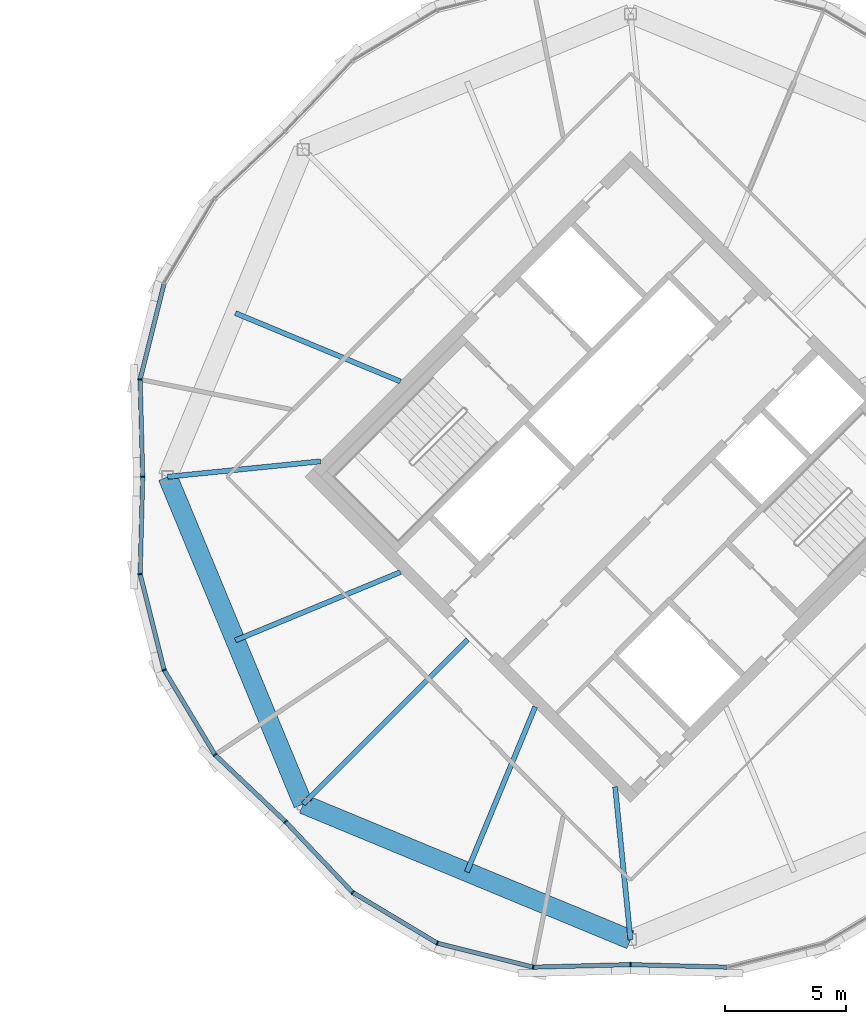
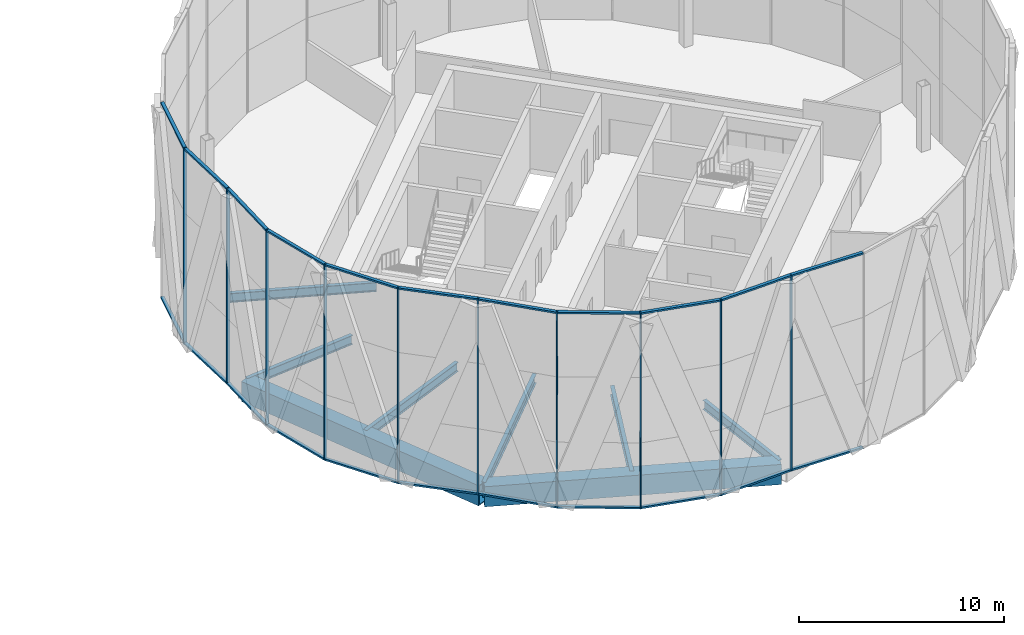
# One storey, part 8 of 22: 32 members, 8 beams, 4 elements without a shape of their own.
"""IFC4 building model written with IfcOpenShell, lengths in metres."""

from ifc_helpers import new_model, si_unit, direction, frame, origin, origin_2d, place, context, subcontext, project, spatial, rectangle, hollow_rectangle, i_section, extrude, material, material_profile, profile_set, type_object, element, aggregate, save


model = new_model("IFC4")

# Units and contexts
model_context = context("Model", 3, precision=1e-05, world=origin(), true_north=direction((0.0, 1.0)))
body_context = subcontext(model_context, "Body", "Model", "MODEL_VIEW")
ifc_project = project(units=[si_unit("LENGTHUNIT", "METRE"), si_unit("AREAUNIT", "SQUARE_METRE"), si_unit("VOLUMEUNIT", "CUBIC_METRE"), si_unit("PLANEANGLEUNIT", "RADIAN"), si_unit("MASSUNIT", "GRAM", prefix="KILO")], contexts=[model_context])

# Site, building, storey
site_placement = place(None, origin())
site = spatial("IfcSite", under=ifc_project, at=site_placement, CompositionType="ELEMENT")
building_placement = place(site_placement, origin())
building = spatial("IfcBuilding", under=site, at=building_placement, Name="Ogive Gate Towers", CompositionType="ELEMENT")
storey_placement = place(building_placement, frame((0.0, 0.0, 228.89990234375)))
storey = spatial("IfcBuildingStorey", under=building, at=storey_placement, Name="L54", CompositionType="ELEMENT", Elevation=228.89990234375)

# Beams
ifc_material_1 = material(Name="Steel SM460", Category="steel")
ifc_material_profile_1 = material_profile(ifc_material_1, hollow_rectangle(XDim=0.800048828125, YDim=1.199951171875, WallThickness=0.050048828125, at=origin_2d()), Name="BX 1200x800x50")
ifc_profile_set_1 = profile_set([ifc_material_profile_1], Name="Steel SM460")
beam_type_1 = type_object("IfcBeamType", Name="Edge girder BX 1200x800x50", PredefinedType="BEAM", material=ifc_profile_set_1)
for number, where, z_axis, x_axis, name in (
    (1, (22.4873046875, -13.5126953125, -0.89990234375), (0.923872994947, -0.38269921506, 0.0), (0.38269921506, 0.923872994947, 0.0), "T2/L54/SBM017"),
    (2, (16.889892578125, 0.0, -0.89990234375), (0.38269921506, -0.923872994947, 0.0), (0.923872994947, 0.38269921506, 0.0), "T2/L54/SBM024"),
):
    element("IfcBeam", number, at=place(storey_placement, frame(where, z_axis=z_axis, x_axis=x_axis)), inside=storey, type_object=beam_type_1, Name=name, PredefinedType="BEAM", context=body_context, shape_type="SweptSolid", body=[
        extrude(hollow_rectangle(XDim=0.800048828125, YDim=1.199951171875, WallThickness=0.050048828125, at=origin_2d()), origin(), (0.0, 0.0, 1.0), 14.626220703125),
    ])
ifc_material_2 = material(Name="Steel SM355", Category="steel")
ifc_material_profile_2 = material_profile(ifc_material_2, i_section(OverallWidth=0.2099609375, OverallDepth=0.550048828125, WebThickness=0.010986328125, FlangeThickness=0.01708984375, FilletRadius=0.02392578125, at=origin_2d()), Name="IPE 550")
ifc_profile_set_2 = profile_set([ifc_material_profile_2], Name="Steel SM355")
beam_type_2 = type_object("IfcBeamType", Name="Radial floor beam IPE 550", PredefinedType="BEAM", material=ifc_profile_set_2)
beam_1_placement = place(storey_placement, frame((29.282470703125, -6.717529296875, -0.574951171875), z_axis=(-0.707106781187, -0.707106781187, 0.0), x_axis=(0.707106781187, -0.707106781187, 0.0)))
element("IfcBeam", 3, at=beam_1_placement, inside=storey, type_object=beam_type_2, Name="T2/L54/SBM001", PredefinedType="BEAM", context=body_context, shape_type="SweptSolid", body=[
    extrude(i_section(OverallWidth=0.2099609375, OverallDepth=0.550048828125, WebThickness=0.010986328125, FlangeThickness=0.01708984375, FilletRadius=0.02392578125, at=origin_2d()), origin(), (0.0, 0.0, 1.0), 9.60986328125),
])
beam_2_placement = place(storey_placement, frame((32.06494140625, -9.5, -0.574951171875), z_axis=(-0.382667649558, -0.923886069806, 0.0), x_axis=(0.923886069806, -0.382667649558, 0.0)))
element("IfcBeam", 4, at=beam_2_placement, inside=storey, type_object=beam_type_2, Name="T2/L54/SBM002", PredefinedType="BEAM", context=body_context, shape_type="SweptSolid", body=[
    extrude(i_section(OverallWidth=0.2099609375, OverallDepth=0.550048828125, WebThickness=0.010986328125, FlangeThickness=0.01708984375, FilletRadius=0.02392578125, at=origin_2d()), origin(), (0.0, 0.0, 1.0), 7.372802734375),
])
beam_3_placement = place(storey_placement, frame((35.363525390625, -12.798583984375, -0.574951171875), z_axis=(0.100334383706, -0.994953773522, 0.0), x_axis=(0.994953773522, 0.100334383706, 0.0)))
element("IfcBeam", 5, at=beam_3_placement, inside=storey, type_object=beam_type_2, Name="T2/L54/SBM003", PredefinedType="BEAM", context=body_context, shape_type="SweptSolid", body=[
    extrude(i_section(OverallWidth=0.2099609375, OverallDepth=0.550048828125, WebThickness=0.010986328125, FlangeThickness=0.01708984375, FilletRadius=0.02392578125, at=origin_2d()), origin(), (0.0, 0.0, 1.0), 6.343505859375),
])
beam_4_placement = place(storey_placement, frame((26.5, 3.93505859375, -0.574951171875), z_axis=(-0.923886069806, 0.382667649558, 0.0), x_axis=(-0.382667649558, -0.923886069806, 0.0)))
element("IfcBeam", 6, at=beam_4_placement, inside=storey, type_object=beam_type_2, Name="T2/L54/SBM014", PredefinedType="BEAM", context=body_context, shape_type="SweptSolid", body=[
    extrude(i_section(OverallWidth=0.2099609375, OverallDepth=0.550048828125, WebThickness=0.010986328125, FlangeThickness=0.01708984375, FilletRadius=0.02392578125, at=origin_2d()), origin(), (0.0, 0.0, 1.0), 7.372802734375),
])
beam_5_placement = place(storey_placement, frame((23.201416015625, 0.636474609375, -0.574951171875), z_axis=(-0.994953773522, -0.100334383706, 0.0), x_axis=(0.100334383706, -0.994953773522, 0.0)))
element("IfcBeam", 7, at=beam_5_placement, inside=storey, type_object=beam_type_2, Name="T2/L54/SBM015", PredefinedType="BEAM", context=body_context, shape_type="SweptSolid", body=[
    extrude(i_section(OverallWidth=0.2099609375, OverallDepth=0.550048828125, WebThickness=0.010986328125, FlangeThickness=0.01708984375, FilletRadius=0.02392578125, at=origin_2d()), origin(), (0.0, 0.0, 1.0), 6.343505859375),
])
beam_6_placement = place(storey_placement, frame((26.5, -3.93505859375, -0.574951171875), z_axis=(-0.923886069806, -0.382667649558, 0.0), x_axis=(0.382667649558, -0.923886069806, 0.0)))
element("IfcBeam", 8, at=beam_6_placement, inside=storey, type_object=beam_type_2, Name="T2/L54/SBM016", PredefinedType="BEAM", context=body_context, shape_type="SweptSolid", body=[
    extrude(i_section(OverallWidth=0.2099609375, OverallDepth=0.550048828125, WebThickness=0.010986328125, FlangeThickness=0.01708984375, FilletRadius=0.02392578125, at=origin_2d()), origin(), (0.0, 0.0, 1.0), 7.372802734375),
])

# Curtain wall, members
ifc_material_3 = material(Name="Pale metal aluminium", Category="aluminium")
curtain_wall_type = type_object("IfcCurtainWallType", Name="Tower unitised wall, high zone", PredefinedType="NOTDEFINED", material=ifc_material_3)
curtain_wall_1_placement = place(storey_placement, origin())
curtain_wall_1 = element("IfcCurtainWall", 9, at=curtain_wall_1_placement, inside=storey, type_object=curtain_wall_type, Name="CW2 T2 ECW04", PredefinedType="NOTDEFINED")
ifc_material_profile_3 = material_profile(ifc_material_3, rectangle(XDim=0.179931640625, YDim=0.06005859375, at=origin_2d()), Name="60 x 180 aluminium box")
ifc_profile_set_3 = profile_set([ifc_material_profile_3], Name="Pale metal aluminium")
member_type_1 = type_object("IfcMemberType", Name="Tower unitised wall, high zone mullion 60 x 180", PredefinedType="MULLION", material=ifc_profile_set_3)
member_1_placement = place(storey_placement, frame((15.75439453125, 4.01904296875, -0.2998046875), z_axis=(0.0, 0.0, 1.0), x_axis=(-0.994001108417, 0.109369998011, 0.0)))
member_1 = element("IfcMember", 10, at=member_1_placement, type_object=member_type_1, Name="CW2 mullion", PredefinedType="MULLION", context=body_context, shape_type="SweptSolid", body=[
    extrude(rectangle(XDim=0.179931640625, YDim=0.06005859375, at=origin_2d()), origin(), (0.0, 0.0, 1.0), 11.699951171875),
])
member_2_placement = place(storey_placement, frame((15.860107421875, 0.000244140625, -0.2998046875), z_axis=(0.0, 0.0, 1.0), x_axis=(-0.999655952983, -0.026229290207, 0.0)))
member_2 = element("IfcMember", 11, at=member_2_placement, type_object=member_type_1, Name="CW2 mullion", PredefinedType="MULLION", context=body_context, shape_type="SweptSolid", body=[
    extrude(rectangle(XDim=0.179931640625, YDim=0.06005859375, at=origin_2d()), origin(), (0.0, 0.0, 1.0), 11.699951171875),
])

curtain_wall_2_placement = place(storey_placement, origin())
curtain_wall_2 = element("IfcCurtainWall", 12, at=curtain_wall_2_placement, inside=storey, type_object=curtain_wall_type, Name="CW2 T2 ECW05", PredefinedType="NOTDEFINED")
member_3_placement = place(storey_placement, frame((15.75439453125, -4.01904296875, -0.2998046875), z_axis=(0.0, 0.0, 1.0), x_axis=(-0.994001108417, -0.109369998011, 0.0)))
member_3 = element("IfcMember", 13, at=member_3_placement, type_object=member_type_1, Name="CW2 mullion", PredefinedType="MULLION", context=body_context, shape_type="SweptSolid", body=[
    extrude(rectangle(XDim=0.179931640625, YDim=0.06005859375, at=origin_2d()), origin(), (0.0, 0.0, 1.0), 11.699951171875),
])
member_4_placement = place(storey_placement, frame((16.745361328125, -7.9755859375, -0.2998046875), z_axis=(0.0, 0.0, 1.0), x_axis=(-0.923872853285, -0.382699557047, 0.0)))
member_4 = element("IfcMember", 14, at=member_4_placement, type_object=member_type_1, Name="CW2 mullion", PredefinedType="MULLION", context=body_context, shape_type="SweptSolid", body=[
    extrude(rectangle(XDim=0.179931640625, YDim=0.06005859375, at=origin_2d()), origin(), (0.0, 0.0, 1.0), 11.699951171875),
])
member_5_placement = place(storey_placement, frame((18.84228515625, -11.473876953125, -0.2998046875), z_axis=(0.0, 0.0, 1.0), x_axis=(-0.780201191521, -0.625528657017, 0.0)))
member_5 = element("IfcMember", 15, at=member_5_placement, type_object=member_type_1, Name="CW2 mullion", PredefinedType="MULLION", context=body_context, shape_type="SweptSolid", body=[
    extrude(rectangle(XDim=0.179931640625, YDim=0.06005859375, at=origin_2d()), origin(), (0.0, 0.0, 1.0), 11.699951171875),
])
member_6_placement = place(storey_placement, frame((21.7587890625, -14.240966796875, -0.2998046875), z_axis=(0.0, 0.0, 1.0), x_axis=(-0.688329254932, -0.725398398678, 0.0)))
member_6 = element("IfcMember", 16, at=member_6_placement, type_object=member_type_1, Name="CW2 mullion", PredefinedType="MULLION", context=body_context, shape_type="SweptSolid", body=[
    extrude(rectangle(XDim=0.179931640625, YDim=0.06005859375, at=origin_2d()), origin(), (0.0, 0.0, 1.0), 11.699951171875),
])

curtain_wall_3_placement = place(storey_placement, origin())
curtain_wall_3 = element("IfcCurtainWall", 17, at=curtain_wall_3_placement, inside=storey, type_object=curtain_wall_type, Name="CW2 T2 ECW06", PredefinedType="NOTDEFINED")
member_7_placement = place(storey_placement, frame((24.526123046875, -17.15771484375, -0.2998046875), z_axis=(0.0, 0.0, 1.0), x_axis=(-0.625528657017, -0.780201191521, 0.0)))
member_7 = element("IfcMember", 18, at=member_7_placement, type_object=member_type_1, Name="CW2 mullion", PredefinedType="MULLION", context=body_context, shape_type="SweptSolid", body=[
    extrude(rectangle(XDim=0.179931640625, YDim=0.06005859375, at=origin_2d()), origin(), (0.0, 0.0, 1.0), 11.699951171875),
])
member_8_placement = place(storey_placement, frame((28.0244140625, -19.254638671875, -0.2998046875), z_axis=(0.0, 0.0, 1.0), x_axis=(-0.382699557047, -0.923872853285, 0.0)))
member_8 = element("IfcMember", 19, at=member_8_placement, type_object=member_type_1, Name="CW2 mullion", PredefinedType="MULLION", context=body_context, shape_type="SweptSolid", body=[
    extrude(rectangle(XDim=0.179931640625, YDim=0.06005859375, at=origin_2d()), origin(), (0.0, 0.0, 1.0), 11.699951171875),
])
member_9_placement = place(storey_placement, frame((31.98095703125, -20.24560546875, -0.2998046875), z_axis=(0.0, 0.0, 1.0), x_axis=(-0.109369998011, -0.994001108417, 0.0)))
member_9 = element("IfcMember", 20, at=member_9_placement, type_object=member_type_1, Name="CW2 mullion", PredefinedType="MULLION", context=body_context, shape_type="SweptSolid", body=[
    extrude(rectangle(XDim=0.179931640625, YDim=0.06005859375, at=origin_2d()), origin(), (0.0, 0.0, 1.0), 11.699951171875),
])
member_10_placement = place(storey_placement, frame((35.999755859375, -20.139892578125, -0.2998046875), z_axis=(0.0, 0.0, 1.0), x_axis=(0.026229290207, -0.999655952983, 0.0)))
member_10 = element("IfcMember", 21, at=member_10_placement, type_object=member_type_1, Name="CW2 mullion", PredefinedType="MULLION", context=body_context, shape_type="SweptSolid", body=[
    extrude(rectangle(XDim=0.179931640625, YDim=0.06005859375, at=origin_2d()), origin(), (0.0, 0.0, 1.0), 11.699951171875),
])

# Member
ifc_material_profile_4 = material_profile(ifc_material_3, rectangle(XDim=0.179931640625, YDim=0.10009765625, at=origin_2d()), Name="100 x 180 aluminium box")
ifc_profile_set_4 = profile_set([ifc_material_profile_4], Name="Pale metal aluminium")
member_type_2 = type_object("IfcMemberType", Name="Tower unitised wall, high zone transom 100 x 180", PredefinedType="USERDEFINED", material=ifc_profile_set_4)
member_11_placement = place(storey_placement, frame((16.738525390625, 7.947998046875, 11.35009765625), z_axis=(-0.242949839653, -0.970038852527, 0.0), x_axis=(0.970038852527, -0.242949839653, 0.0)))
member_11 = element("IfcMember", 22, at=member_11_placement, type_object=member_type_2, Name="CW2 transom", ObjectType="TRANSOM", PredefinedType="USERDEFINED", context=body_context, shape_type="SweptSolid", body=[
    extrude(rectangle(XDim=0.179931640625, YDim=0.10009765625, at=origin_2d()), origin(), (0.0, 0.0, 1.0), 4.021728515625),
])

member_12_placement = place(storey_placement, frame((16.738525390625, 7.947998046875, -0.25), z_axis=(-0.242949839653, -0.970038852527, 0.0), x_axis=(0.970038852527, -0.242949839653, 0.0)))
member_12 = element("IfcMember", 23, at=member_12_placement, type_object=member_type_2, Name="CW2 transom", ObjectType="TRANSOM", PredefinedType="USERDEFINED", context=body_context, shape_type="SweptSolid", body=[
    extrude(rectangle(XDim=0.179931640625, YDim=0.10009765625, at=origin_2d()), origin(), (0.0, 0.0, 1.0), 4.021728515625),
])

member_13_placement = place(storey_placement, frame((15.75537109375, 3.990478515625, 11.35009765625), z_axis=(0.026191615796, -0.999656940786, 0.0), x_axis=(0.999656940786, 0.026191615796, 0.0)))
member_13 = element("IfcMember", 24, at=member_13_placement, type_object=member_type_2, Name="CW2 transom", ObjectType="TRANSOM", PredefinedType="USERDEFINED", context=body_context, shape_type="SweptSolid", body=[
    extrude(rectangle(XDim=0.179931640625, YDim=0.10009765625, at=origin_2d()), origin(), (0.0, 0.0, 1.0), 3.961669921875),
])

member_14_placement = place(storey_placement, frame((15.75537109375, 3.990478515625, -0.25), z_axis=(0.026191615796, -0.999656940786, 0.0), x_axis=(0.999656940786, 0.026191615796, 0.0)))
member_14 = element("IfcMember", 25, at=member_14_placement, type_object=member_type_2, Name="CW2 transom", ObjectType="TRANSOM", PredefinedType="USERDEFINED", context=body_context, shape_type="SweptSolid", body=[
    extrude(rectangle(XDim=0.179931640625, YDim=0.10009765625, at=origin_2d()), origin(), (0.0, 0.0, 1.0), 3.961669921875),
])

aggregate(curtain_wall_1, [member_1, member_11, member_12, member_2, member_13, member_14])

member_15_placement = place(storey_placement, frame((15.859130859375, -0.0302734375, 11.35009765625), z_axis=(-0.026191615796, -0.999656940786, 0.0), x_axis=(0.999656940786, -0.026191615796, 0.0)))
member_15 = element("IfcMember", 26, at=member_15_placement, type_object=member_type_2, Name="CW2 transom", ObjectType="TRANSOM", PredefinedType="USERDEFINED", context=body_context, shape_type="SweptSolid", body=[
    extrude(rectangle(XDim=0.179931640625, YDim=0.10009765625, at=origin_2d()), origin(), (0.0, 0.0, 1.0), 3.961669921875),
])

member_16_placement = place(storey_placement, frame((15.859130859375, -0.0302734375, -0.25), z_axis=(-0.026191615796, -0.999656940786, 0.0), x_axis=(0.999656940786, -0.026191615796, 0.0)))
member_16 = element("IfcMember", 27, at=member_16_placement, type_object=member_type_2, Name="CW2 transom", ObjectType="TRANSOM", PredefinedType="USERDEFINED", context=body_context, shape_type="SweptSolid", body=[
    extrude(rectangle(XDim=0.179931640625, YDim=0.10009765625, at=origin_2d()), origin(), (0.0, 0.0, 1.0), 3.961669921875),
])

member_17_placement = place(storey_placement, frame((15.761474609375, -4.046875, 11.35009765625), z_axis=(0.242949839653, -0.970038852527, 0.0), x_axis=(0.970038852527, 0.242949839653, 0.0)))
member_17 = element("IfcMember", 28, at=member_17_placement, type_object=member_type_2, Name="CW2 transom", ObjectType="TRANSOM", PredefinedType="USERDEFINED", context=body_context, shape_type="SweptSolid", body=[
    extrude(rectangle(XDim=0.179931640625, YDim=0.10009765625, at=origin_2d()), origin(), (0.0, 0.0, 1.0), 4.021728515625),
])

member_18_placement = place(storey_placement, frame((15.761474609375, -4.046875, -0.25), z_axis=(0.242949839653, -0.970038852527, 0.0), x_axis=(0.970038852527, 0.242949839653, 0.0)))
member_18 = element("IfcMember", 29, at=member_18_placement, type_object=member_type_2, Name="CW2 transom", ObjectType="TRANSOM", PredefinedType="USERDEFINED", context=body_context, shape_type="SweptSolid", body=[
    extrude(rectangle(XDim=0.179931640625, YDim=0.10009765625, at=origin_2d()), origin(), (0.0, 0.0, 1.0), 4.021728515625),
])

member_19_placement = place(storey_placement, frame((16.760009765625, -8.0, 11.35009765625), z_axis=(0.514192185894, -0.857674994369, 0.0), x_axis=(0.857674994369, 0.514192185894, 0.0)))
member_19 = element("IfcMember", 30, at=member_19_placement, type_object=member_type_2, Name="CW2 transom", ObjectType="TRANSOM", PredefinedType="USERDEFINED", context=body_context, shape_type="SweptSolid", body=[
    extrude(rectangle(XDim=0.179931640625, YDim=0.10009765625, at=origin_2d()), origin(), (0.0, 0.0, 1.0), 4.021484375),
])

member_20_placement = place(storey_placement, frame((16.760009765625, -8.0, -0.25), z_axis=(0.514192185894, -0.857674994369, 0.0), x_axis=(0.857674994369, 0.514192185894, 0.0)))
member_20 = element("IfcMember", 31, at=member_20_placement, type_object=member_type_2, Name="CW2 transom", ObjectType="TRANSOM", PredefinedType="USERDEFINED", context=body_context, shape_type="SweptSolid", body=[
    extrude(rectangle(XDim=0.179931640625, YDim=0.10009765625, at=origin_2d()), origin(), (0.0, 0.0, 1.0), 4.021484375),
])

member_21_placement = place(storey_placement, frame((18.86328125, -11.493408203125, 11.35009765625), z_axis=(0.725384001272, -0.688344427375, 0.0), x_axis=(0.688344427375, 0.725384001272, 0.0)))
member_21 = element("IfcMember", 32, at=member_21_placement, type_object=member_type_2, Name="CW2 transom", ObjectType="TRANSOM", PredefinedType="USERDEFINED", context=body_context, shape_type="SweptSolid", body=[
    extrude(rectangle(XDim=0.179931640625, YDim=0.10009765625, at=origin_2d()), origin(), (0.0, 0.0, 1.0), 3.96142578125),
])

member_22_placement = place(storey_placement, frame((18.86328125, -11.493408203125, -0.25), z_axis=(0.725384001272, -0.688344427375, 0.0), x_axis=(0.688344427375, 0.725384001272, 0.0)))
member_22 = element("IfcMember", 33, at=member_22_placement, type_object=member_type_2, Name="CW2 transom", ObjectType="TRANSOM", PredefinedType="USERDEFINED", context=body_context, shape_type="SweptSolid", body=[
    extrude(rectangle(XDim=0.179931640625, YDim=0.10009765625, at=origin_2d()), origin(), (0.0, 0.0, 1.0), 3.96142578125),
])

aggregate(curtain_wall_2, [member_3, member_15, member_16, member_4, member_17, member_18, member_5, member_19, member_20, member_6, member_21, member_22])

member_23_placement = place(storey_placement, frame((21.77978515625, -14.26318359375, 11.35009765625), z_axis=(0.688344427375, -0.725384001272, 0.0), x_axis=(0.725384001272, 0.688344427375, 0.0)))
member_23 = element("IfcMember", 34, at=member_23_placement, type_object=member_type_2, Name="CW2 transom", ObjectType="TRANSOM", PredefinedType="USERDEFINED", context=body_context, shape_type="SweptSolid", body=[
    extrude(rectangle(XDim=0.179931640625, YDim=0.10009765625, at=origin_2d()), origin(), (0.0, 0.0, 1.0), 3.96142578125),
])

member_24_placement = place(storey_placement, frame((21.77978515625, -14.26318359375, -0.25), z_axis=(0.688344427375, -0.725384001272, 0.0), x_axis=(0.725384001272, 0.688344427375, 0.0)))
member_24 = element("IfcMember", 35, at=member_24_placement, type_object=member_type_2, Name="CW2 transom", ObjectType="TRANSOM", PredefinedType="USERDEFINED", context=body_context, shape_type="SweptSolid", body=[
    extrude(rectangle(XDim=0.179931640625, YDim=0.10009765625, at=origin_2d()), origin(), (0.0, 0.0, 1.0), 3.96142578125),
])

member_25_placement = place(storey_placement, frame((24.55078125, -17.172119140625, 11.35009765625), z_axis=(0.857674994369, -0.514192185894, 0.0), x_axis=(0.514192185894, 0.857674994369, 0.0)))
member_25 = element("IfcMember", 36, at=member_25_placement, type_object=member_type_2, Name="CW2 transom", ObjectType="TRANSOM", PredefinedType="USERDEFINED", context=body_context, shape_type="SweptSolid", body=[
    extrude(rectangle(XDim=0.179931640625, YDim=0.10009765625, at=origin_2d()), origin(), (0.0, 0.0, 1.0), 4.021484375),
])

member_26_placement = place(storey_placement, frame((24.55078125, -17.172119140625, -0.25), z_axis=(0.857674994369, -0.514192185894, 0.0), x_axis=(0.514192185894, 0.857674994369, 0.0)))
member_26 = element("IfcMember", 37, at=member_26_placement, type_object=member_type_2, Name="CW2 transom", ObjectType="TRANSOM", PredefinedType="USERDEFINED", context=body_context, shape_type="SweptSolid", body=[
    extrude(rectangle(XDim=0.179931640625, YDim=0.10009765625, at=origin_2d()), origin(), (0.0, 0.0, 1.0), 4.021484375),
])

member_27_placement = place(storey_placement, frame((28.052001953125, -19.261474609375, 11.35009765625), z_axis=(0.970038852527, -0.242949839653, 0.0), x_axis=(0.242949839653, 0.970038852527, 0.0)))
member_27 = element("IfcMember", 38, at=member_27_placement, type_object=member_type_2, Name="CW2 transom", ObjectType="TRANSOM", PredefinedType="USERDEFINED", context=body_context, shape_type="SweptSolid", body=[
    extrude(rectangle(XDim=0.179931640625, YDim=0.10009765625, at=origin_2d()), origin(), (0.0, 0.0, 1.0), 4.021728515625),
])

member_28_placement = place(storey_placement, frame((28.052001953125, -19.261474609375, -0.25), z_axis=(0.970038852527, -0.242949839653, 0.0), x_axis=(0.242949839653, 0.970038852527, 0.0)))
member_28 = element("IfcMember", 39, at=member_28_placement, type_object=member_type_2, Name="CW2 transom", ObjectType="TRANSOM", PredefinedType="USERDEFINED", context=body_context, shape_type="SweptSolid", body=[
    extrude(rectangle(XDim=0.179931640625, YDim=0.10009765625, at=origin_2d()), origin(), (0.0, 0.0, 1.0), 4.021728515625),
])

member_29_placement = place(storey_placement, frame((32.009521484375, -20.24462890625, 11.35009765625), z_axis=(0.999656940786, 0.026191615796, 0.0), x_axis=(-0.026191615796, 0.999656940786, 0.0)))
member_29 = element("IfcMember", 40, at=member_29_placement, type_object=member_type_2, Name="CW2 transom", ObjectType="TRANSOM", PredefinedType="USERDEFINED", context=body_context, shape_type="SweptSolid", body=[
    extrude(rectangle(XDim=0.179931640625, YDim=0.10009765625, at=origin_2d()), origin(), (0.0, 0.0, 1.0), 3.961669921875),
])

member_30_placement = place(storey_placement, frame((32.009521484375, -20.24462890625, -0.25), z_axis=(0.999656940786, 0.026191615796, 0.0), x_axis=(-0.026191615796, 0.999656940786, 0.0)))
member_30 = element("IfcMember", 41, at=member_30_placement, type_object=member_type_2, Name="CW2 transom", ObjectType="TRANSOM", PredefinedType="USERDEFINED", context=body_context, shape_type="SweptSolid", body=[
    extrude(rectangle(XDim=0.179931640625, YDim=0.10009765625, at=origin_2d()), origin(), (0.0, 0.0, 1.0), 3.961669921875),
])

aggregate(curtain_wall_3, [member_7, member_23, member_24, member_8, member_25, member_26, member_9, member_27, member_28, member_10, member_29, member_30])

# Curtain wall, members
curtain_wall_4_placement = place(storey_placement, origin())
curtain_wall_4 = element("IfcCurtainWall", 42, at=curtain_wall_4_placement, inside=storey, type_object=curtain_wall_type, Name="CW2 T2 ECW07", PredefinedType="NOTDEFINED")
member_31_placement = place(storey_placement, frame((36.0302734375, -20.140869140625, 11.35009765625), z_axis=(0.999656940786, -0.026191615796, 0.0), x_axis=(0.026191615796, 0.999656940786, 0.0)))
member_31 = element("IfcMember", 43, at=member_31_placement, type_object=member_type_2, Name="CW2 transom", ObjectType="TRANSOM", PredefinedType="USERDEFINED", context=body_context, shape_type="SweptSolid", body=[
    extrude(rectangle(XDim=0.179931640625, YDim=0.10009765625, at=origin_2d()), origin(), (0.0, 0.0, 1.0), 3.961669921875),
])
member_32_placement = place(storey_placement, frame((36.0302734375, -20.140869140625, -0.25), z_axis=(0.999656940786, -0.026191615796, 0.0), x_axis=(0.026191615796, 0.999656940786, 0.0)))
member_32 = element("IfcMember", 44, at=member_32_placement, type_object=member_type_2, Name="CW2 transom", ObjectType="TRANSOM", PredefinedType="USERDEFINED", context=body_context, shape_type="SweptSolid", body=[
    extrude(rectangle(XDim=0.179931640625, YDim=0.10009765625, at=origin_2d()), origin(), (0.0, 0.0, 1.0), 3.961669921875),
])
aggregate(curtain_wall_4, [member_31, member_32])

save(model, "model.ifc")
